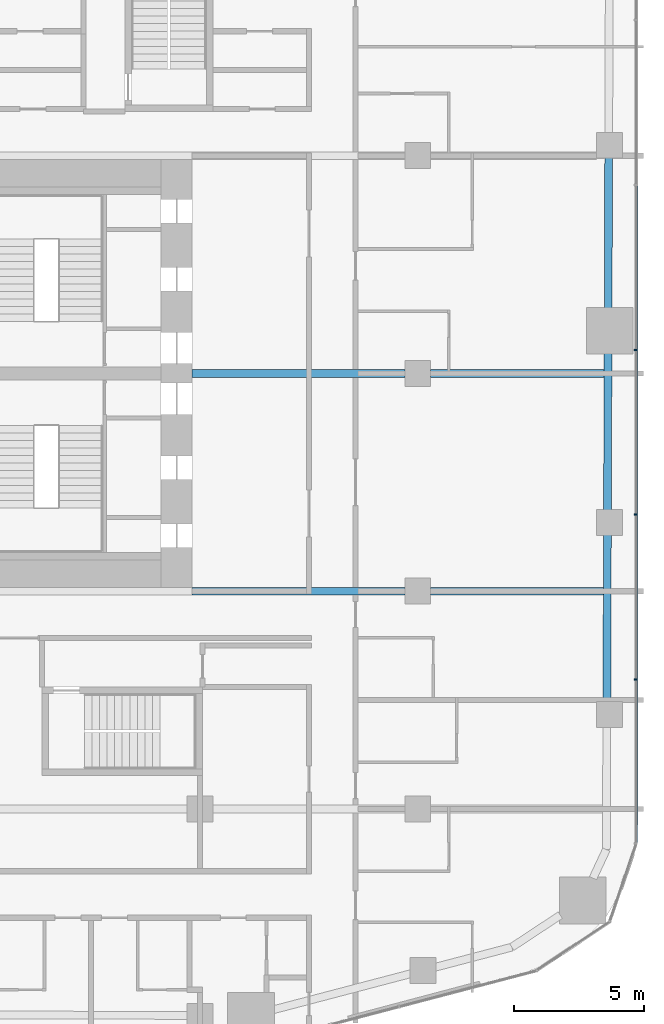
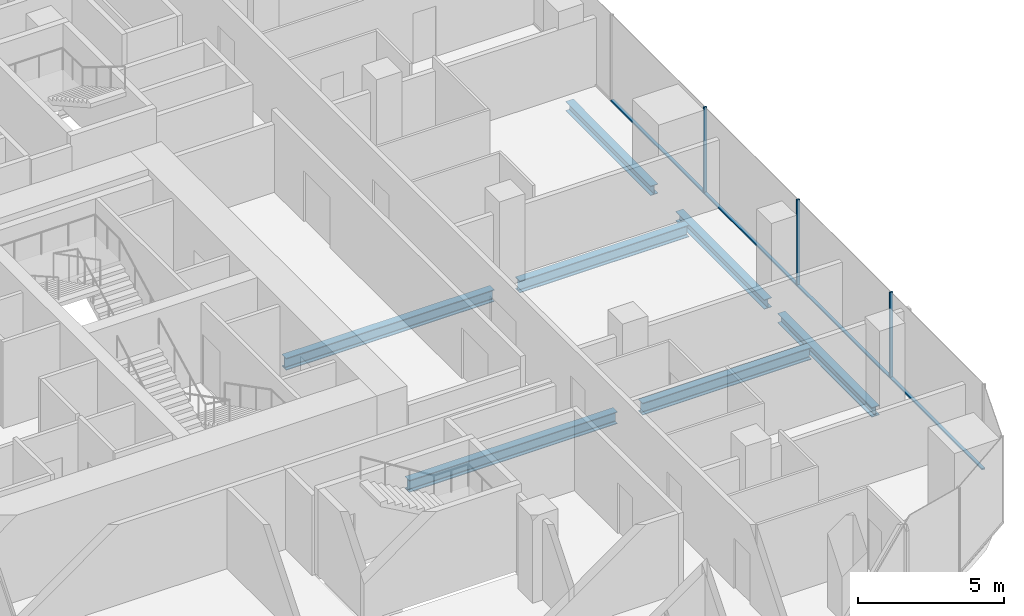
# One storey, part 7 of 26: 7 beams, 7 members, 1 element without a shape of its own.
"""IFC4 building model written with IfcOpenShell, lengths in metres."""

from ifc_helpers import new_model, si_unit, direction, frame, origin, origin_2d, place, context, subcontext, project, spatial, rectangle, i_section, extrude, material, layer, layer_set, material_profile, profile_set, type_object, element, aggregate, save


model = new_model("IFC4")

# Units and contexts
model_context = context("Model", 3, precision=1e-05, world=origin(), true_north=direction((0.0, 1.0)))
body_context = subcontext(model_context, "Body", "Model", "MODEL_VIEW")
ifc_project = project(units=[si_unit("LENGTHUNIT", "METRE"), si_unit("AREAUNIT", "SQUARE_METRE"), si_unit("VOLUMEUNIT", "CUBIC_METRE"), si_unit("PLANEANGLEUNIT", "RADIAN"), si_unit("MASSUNIT", "GRAM", prefix="KILO")], contexts=[model_context])

# Site, building, storey
site_placement = place(None, origin())
site = spatial("IfcSite", under=ifc_project, at=site_placement, CompositionType="ELEMENT")
building_placement = place(site_placement, origin())
building = spatial("IfcBuilding", under=site, at=building_placement, Name="Marenta Gate Hotel Tower", CompositionType="ELEMENT")
storey_placement = place(building_placement, frame((0.0, 0.0, 72.5)))
storey = spatial("IfcBuildingStorey", under=building, at=storey_placement, Name="L16", CompositionType="ELEMENT", Elevation=72.5)

# Beams
ifc_material_1 = material(Name="Steel S355", Category="steel")
ifc_material_profile_1 = material_profile(ifc_material_1, i_section(OverallWidth=0.300048828125, OverallDepth=0.39990234375, WebThickness=0.013427734375, FlangeThickness=0.02392578125, FilletRadius=0.027099609375, at=origin_2d()), Name="HEB 400")
ifc_profile_set_1 = profile_set([ifc_material_profile_1], Name="Steel S355")
beam_type_1 = type_object("IfcBeamType", Name="Edge beam HEB 400", PredefinedType="SPANDREL", material=ifc_profile_set_1)
beam_1_placement = place(storey_placement, frame((28.364013671875, 16.7431640625, -0.4599609375), z_axis=(-0.003306389661, -0.999994533879, 0.0), x_axis=(0.999994533879, -0.003306389661, 0.0)))
element("IfcBeam", 1, at=beam_1_placement, inside=storey, type_object=beam_type_1, Name="L16-EB-24", PredefinedType="SPANDREL", context=body_context, shape_type="SweptSolid", body=[
    extrude(i_section(OverallWidth=0.300048828125, OverallDepth=0.39990234375, WebThickness=0.013427734375, FlangeThickness=0.02392578125, FilletRadius=0.027099609375, at=origin_2d()), origin(), (0.0, 0.0, 1.0), 5.833251953125),
])
beam_2_placement = place(storey_placement, frame((28.3388671875, 9.18994140625, -0.4599609375), z_axis=(-0.003332378012, -0.999994447613, 0.0), x_axis=(0.999994447613, -0.003332378012, 0.0)))
element("IfcBeam", 2, at=beam_2_placement, inside=storey, type_object=beam_type_1, Name="L16-EB-25", PredefinedType="SPANDREL", context=body_context, shape_type="SweptSolid", body=[
    extrude(i_section(OverallWidth=0.300048828125, OverallDepth=0.39990234375, WebThickness=0.013427734375, FlangeThickness=0.02392578125, FilletRadius=0.027099609375, at=origin_2d()), origin(), (0.0, 0.0, 1.0), 6.080810546875),
])
beam_3_placement = place(storey_placement, frame((28.315673828125, 2.189208984375, -0.4599609375), z_axis=(-0.003352525703, -0.99999438027, 0.0), x_axis=(0.99999438027, -0.003352525703, 0.0)))
element("IfcBeam", 3, at=beam_3_placement, inside=storey, type_object=beam_type_1, Name="L16-EB-26", PredefinedType="SPANDREL", context=body_context, shape_type="SweptSolid", body=[
    extrude(i_section(OverallWidth=0.300048828125, OverallDepth=0.39990234375, WebThickness=0.013427734375, FlangeThickness=0.02392578125, FilletRadius=0.027099609375, at=origin_2d()), origin(), (0.0, 0.0, 1.0), 6.481201171875),
])
ifc_material_2 = material(Name="Steel S355", Category="steel")
ifc_material_profile_2 = material_profile(ifc_material_2, i_section(OverallWidth=0.300048828125, OverallDepth=0.5, WebThickness=0.014404296875, FlangeThickness=0.028076171875, FilletRadius=0.027099609375, at=origin_2d()), Name="HEB 500")
ifc_profile_set_2 = profile_set([ifc_material_profile_2], Name="Steel S355")
beam_type_2 = type_object("IfcBeamType", Name="Girder HEB 500", PredefinedType="BEAM", material=ifc_profile_set_2)
beam_4_placement = place(storey_placement, frame((12.300048828125, 0.0, -0.510009765625), z_axis=(1.0, 0.0, 0.0), x_axis=(0.0, 1.0, 0.0)))
element("IfcBeam", 4, at=beam_4_placement, inside=storey, type_object=beam_type_2, Name="L16-GD-11", PredefinedType="BEAM", context=body_context, shape_type="SweptSolid", body=[
    extrude(i_section(OverallWidth=0.300048828125, OverallDepth=0.5, WebThickness=0.014404296875, FlangeThickness=0.028076171875, FilletRadius=0.027099609375, at=origin_2d()), origin(), (0.0, 0.0, 1.0), 8.199951171875),
])
beam_5_placement = place(storey_placement, frame((21.5, 0.0, -0.510009765625), z_axis=(1.0, 0.0, 0.0), x_axis=(0.0, 1.0, 0.0)))
element("IfcBeam", 5, at=beam_5_placement, inside=storey, type_object=beam_type_2, Name="L16-GD-12", PredefinedType="BEAM", context=body_context, shape_type="SweptSolid", body=[
    extrude(i_section(OverallWidth=0.300048828125, OverallDepth=0.5, WebThickness=0.014404296875, FlangeThickness=0.028076171875, FilletRadius=0.027099609375, at=origin_2d()), origin(), (0.0, 0.0, 1.0), 6.658203125),
])
beam_6_placement = place(storey_placement, frame((12.300048828125, 8.39990234375, -0.510009765625), z_axis=(1.0, 0.0, 0.0), x_axis=(0.0, 1.0, 0.0)))
element("IfcBeam", 6, at=beam_6_placement, inside=storey, type_object=beam_type_2, Name="L16-GD-15", PredefinedType="BEAM", context=body_context, shape_type="SweptSolid", body=[
    extrude(i_section(OverallWidth=0.300048828125, OverallDepth=0.5, WebThickness=0.014404296875, FlangeThickness=0.028076171875, FilletRadius=0.027099609375, at=origin_2d()), origin(), (0.0, 0.0, 1.0), 8.199951171875),
])
beam_7_placement = place(storey_placement, frame((21.5, 8.39990234375, -0.510009765625), z_axis=(1.0, 0.0, 0.0), x_axis=(0.0, 1.0, 0.0)))
element("IfcBeam", 7, at=beam_7_placement, inside=storey, type_object=beam_type_2, Name="L16-GD-16", PredefinedType="BEAM", context=body_context, shape_type="SweptSolid", body=[
    extrude(i_section(OverallWidth=0.300048828125, OverallDepth=0.5, WebThickness=0.014404296875, FlangeThickness=0.028076171875, FilletRadius=0.027099609375, at=origin_2d()), origin(), (0.0, 0.0, 1.0), 6.686279296875),
])

# Curtain wall, members
ifc_material_3 = material(Name="Tinted insulated glass in bronze anodised frame", Category="glass")
ifc_layer = layer(ifc_material_3, 0.1201171875)
ifc_layer_set = layer_set([ifc_layer], Name="Tinted insulated glass in bronze anodised frame")
curtain_wall_type = type_object("IfcCurtainWallType", Name="Tower unitised curtain wall CW1", PredefinedType="NOTDEFINED", material=ifc_layer_set)
curtain_wall_placement = place(storey_placement, origin())
curtain_wall = element("IfcCurtainWall", 8, at=curtain_wall_placement, inside=storey, type_object=curtain_wall_type, Name="CW1 run G11", PredefinedType="NOTDEFINED")
ifc_material_4 = material(Name="Bronze anodised aluminium", Category="aluminium")
ifc_material_profile_3 = material_profile(ifc_material_4, rectangle(XDim=0.1201171875, YDim=0.06005859375, at=origin_2d()), Name="Mullion CW1 60x120 bronze anodised aluminium")
ifc_profile_set_3 = profile_set([ifc_material_profile_3], Name="Bronze anodised aluminium")
member_type_1 = type_object("IfcMemberType", Name="Mullion CW1 60x120 bronze anodised aluminium", PredefinedType="MULLION", material=ifc_profile_set_3)
member_1_placement = place(storey_placement, frame((29.4140625, -3.407958984375, 0.0), z_axis=(0.0, 0.0, 1.0), x_axis=(-1.0, 0.0, 0.0)))
member_1 = element("IfcMember", 9, at=member_1_placement, type_object=member_type_1, Name="CW1 mullion 2", PredefinedType="MULLION", context=body_context, shape_type="SweptSolid", body=[
    extrude(rectangle(XDim=0.1201171875, YDim=0.06005859375, at=origin_2d()), origin(), (0.0, 0.0, 1.0), 3.60009765625),
])
member_2_placement = place(storey_placement, frame((29.4140625, 2.951904296875, 0.0), z_axis=(0.0, 0.0, 1.0), x_axis=(-1.0, 0.0, 0.0)))
member_2 = element("IfcMember", 10, at=member_2_placement, type_object=member_type_1, Name="CW1 mullion 3", PredefinedType="MULLION", context=body_context, shape_type="SweptSolid", body=[
    extrude(rectangle(XDim=0.1201171875, YDim=0.06005859375, at=origin_2d()), origin(), (0.0, 0.0, 1.0), 3.60009765625),
])
member_3_placement = place(storey_placement, frame((29.4140625, 9.31201171875, 0.0), z_axis=(0.0, 0.0, 1.0), x_axis=(-1.0, 0.0, 0.0)))
member_3 = element("IfcMember", 11, at=member_3_placement, type_object=member_type_1, Name="CW1 mullion 4", PredefinedType="MULLION", context=body_context, shape_type="SweptSolid", body=[
    extrude(rectangle(XDim=0.1201171875, YDim=0.06005859375, at=origin_2d()), origin(), (0.0, 0.0, 1.0), 3.60009765625),
])
ifc_material_5 = material(Name="Bronze anodised aluminium", Category="aluminium")
ifc_material_profile_4 = material_profile(ifc_material_5, rectangle(XDim=0.1201171875, YDim=0.06005859375, at=origin_2d()), Name="Transom CW1 60x120 bronze anodised aluminium")
ifc_profile_set_4 = profile_set([ifc_material_profile_4], Name="Bronze anodised aluminium")
member_type_2 = type_object("IfcMemberType", Name="Transom CW1 60x120 bronze anodised aluminium", PredefinedType="USERDEFINED", material=ifc_profile_set_4)
member_4_placement = place(storey_placement, frame((29.4140625, -9.7080078125, 0.030029296875), z_axis=(0.0, 1.0, 0.0), x_axis=(-1.0, 0.0, 0.0)))
member_4 = element("IfcMember", 12, at=member_4_placement, type_object=member_type_2, Name="CW1 transom 1.1", ObjectType="TRANSOM", PredefinedType="USERDEFINED", context=body_context, shape_type="SweptSolid", body=[
    extrude(rectangle(XDim=0.1201171875, YDim=0.06005859375, at=origin_2d()), origin(), (0.0, 0.0, 1.0), 6.27001953125),
])
member_5_placement = place(storey_placement, frame((29.4140625, -3.3779296875, 0.030029296875), z_axis=(0.0, 1.0, 0.0), x_axis=(-1.0, 0.0, 0.0)))
member_5 = element("IfcMember", 13, at=member_5_placement, type_object=member_type_2, Name="CW1 transom 2.1", ObjectType="TRANSOM", PredefinedType="USERDEFINED", context=body_context, shape_type="SweptSolid", body=[
    extrude(rectangle(XDim=0.1201171875, YDim=0.06005859375, at=origin_2d()), origin(), (0.0, 0.0, 1.0), 6.2998046875),
])
member_6_placement = place(storey_placement, frame((29.4140625, 2.98193359375, 0.030029296875), z_axis=(0.0, 1.0, 0.0), x_axis=(-1.0, 0.0, 0.0)))
member_6 = element("IfcMember", 14, at=member_6_placement, type_object=member_type_2, Name="CW1 transom 3.1", ObjectType="TRANSOM", PredefinedType="USERDEFINED", context=body_context, shape_type="SweptSolid", body=[
    extrude(rectangle(XDim=0.1201171875, YDim=0.06005859375, at=origin_2d()), origin(), (0.0, 0.0, 1.0), 6.300048828125),
])
member_7_placement = place(storey_placement, frame((29.4140625, 9.342041015625, 0.030029296875), z_axis=(0.0, 1.0, 0.0), x_axis=(-1.0, 0.0, 0.0)))
member_7 = element("IfcMember", 15, at=member_7_placement, type_object=member_type_2, Name="CW1 transom 4.1", ObjectType="TRANSOM", PredefinedType="USERDEFINED", context=body_context, shape_type="SweptSolid", body=[
    extrude(rectangle(XDim=0.1201171875, YDim=0.06005859375, at=origin_2d()), origin(), (0.0, 0.0, 1.0), 6.2998046875),
])
aggregate(curtain_wall, [member_1, member_2, member_3, member_4, member_5, member_6, member_7])

save(model, "model.ifc")
